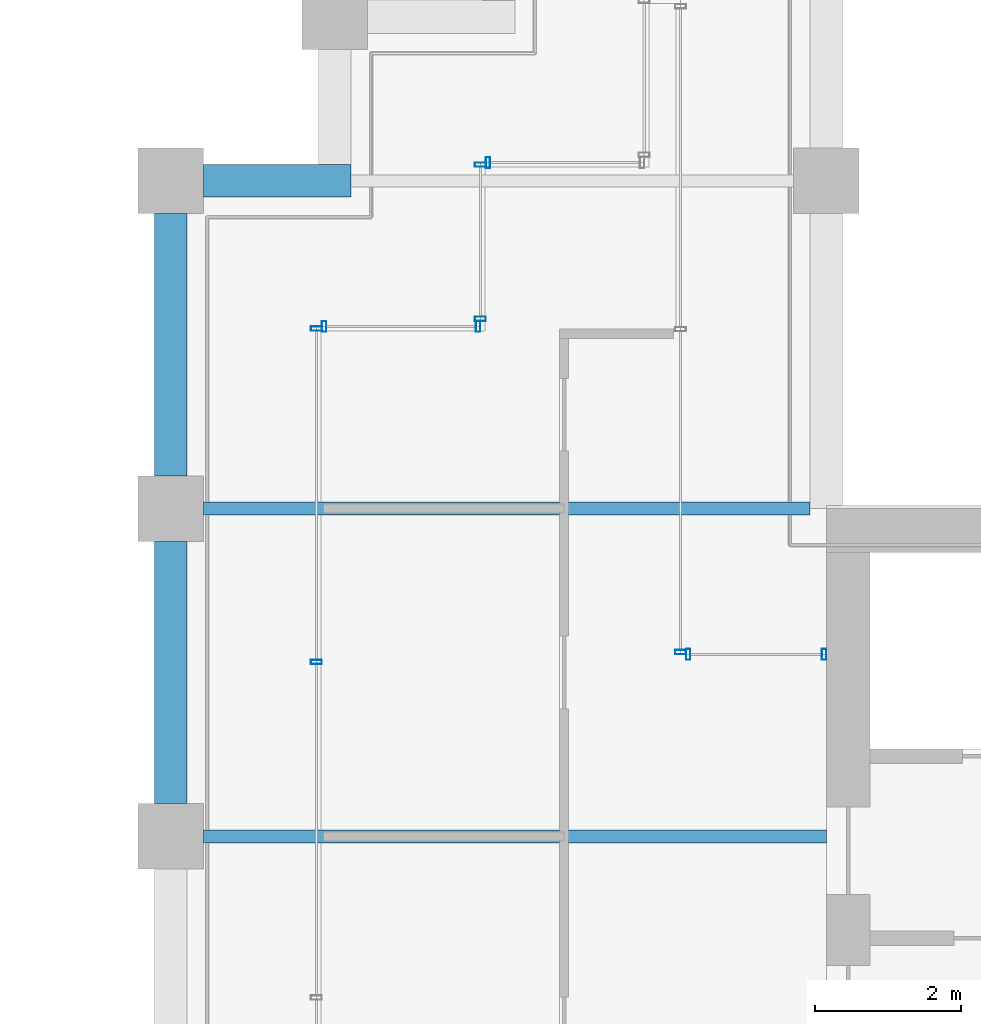
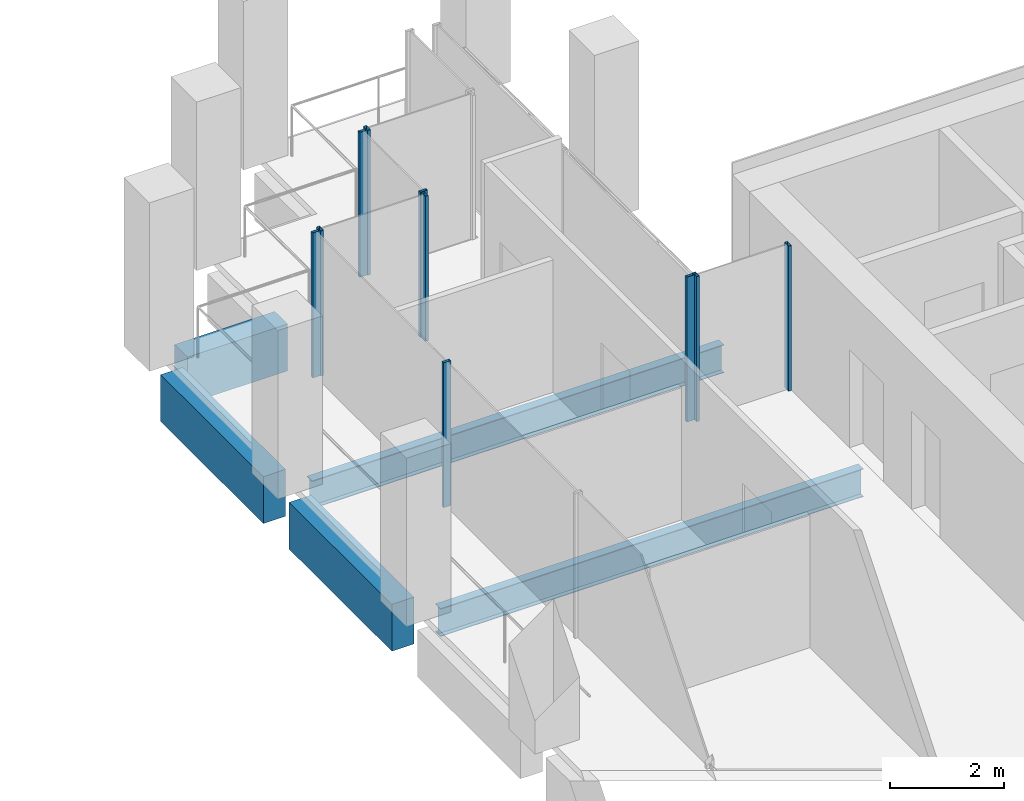
# One storey, part 32 of 40: 10 members, 5 beams, 6 elements without a shape of their own.
"""IFC4 building model written with IfcOpenShell, lengths in metres."""

import ifcopenshell
import ifcopenshell.guid

model = None  # the IFC model being written
_history = None  # IfcOwnerHistory: only IFC2X3 demands one
_inside = {}  # id of a spatial element -> (the spatial element, [elements in it])
_under = {}  # id of a project, library or spatial element -> (it, [spatial elements below it])
_declared = {}  # id of a project -> (the project, [libraries it declares])
_typed = {}  # id of a type object -> (the type object, [elements of that type])
_made_of = {}  # id of a material, layer set ... -> (it, [elements and type objects made of it])


def new_model(schema):
    """Start an empty IFC model of exactly this schema.

    Asked for "IFC4X3", IfcOpenShell would pick the latest addendum, in which some entities
    have other attributes; the version numbers below select the first issue.
    IFC2X3 requires an IfcOwnerHistory on every rooted entity: one is made here for all.
    """
    global model, _history
    if schema == "IFC4X3":
        model = ifcopenshell.file(schema_version=(4, 3, 0, 0))
    else:
        model = ifcopenshell.file(schema=schema)
    _inside.clear()
    _under.clear()
    _declared.clear()
    _typed.clear()
    _made_of.clear()
    _history = None
    if model.schema == "IFC2X3":
        org = make("IfcOrganization", Name="unknown")
        user = make(
            "IfcPersonAndOrganization",
            ThePerson=make("IfcPerson", FamilyName="unknown"),
            TheOrganization=org,
        )
        app = make(
            "IfcApplication",
            ApplicationDeveloper=org,
            Version="unknown",
            ApplicationFullName="unknown",
            ApplicationIdentifier="unknown",
        )
        _history = make(
            "IfcOwnerHistory",
            OwningUser=user,
            OwningApplication=app,
            ChangeAction="ADDED",
            CreationDate=0,
        )
    return model


def make(cls, **values):
    """One entity of the class cls with the attributes given. An attribute that is None is left unset."""
    return model.create_entity(
        cls, **{name: value for name, value in values.items() if value is not None}
    )


def rooted(cls, **values):
    """An entity with a GlobalId (a new one), such as an element, a storey or a relation."""
    return make(cls, GlobalId=ifcopenshell.guid.new(), OwnerHistory=_history, **values)


def si_unit(unit_type, name, prefix=None):
    """IfcSIUnit, for example si_unit("LENGTHUNIT", "METRE", prefix="MILLI")."""
    return make("IfcSIUnit", UnitType=unit_type, Prefix=prefix, Name=name)


def assignment(units):
    """IfcUnitAssignment: the units of a project."""
    return None if units is None else make("IfcUnitAssignment", Units=units)


def point(xyz):
    """IfcCartesianPoint."""
    return None if xyz is None else make("IfcCartesianPoint", Coordinates=xyz)


def direction(xyz):
    """IfcDirection."""
    return None if xyz is None else make("IfcDirection", DirectionRatios=xyz)


def frame(location, z_axis=None, x_axis=None):
    """IfcAxis2Placement3D, a coordinate frame: its origin and axes. An axis left out is left unset."""
    return make(
        "IfcAxis2Placement3D",
        Location=point(location),
        Axis=direction(z_axis),
        RefDirection=direction(x_axis),
    )


def frame_2d(location, x_axis=None):
    """IfcAxis2Placement2D, a coordinate frame in the plane: its origin and x axis."""
    return make(
        "IfcAxis2Placement2D", Location=point(location), RefDirection=direction(x_axis)
    )


def origin():
    """The frame at (0, 0, 0) with its axes left unset."""
    return frame((0.0, 0.0, 0.0))


def origin_2d():
    """The frame at (0, 0) in the plane with its x axis left unset."""
    return frame_2d((0.0, 0.0))


def place(relative_to, where):
    """IfcLocalPlacement: puts the frame where relative to a parent placement (None: the world)."""
    return make(
        "IfcLocalPlacement", PlacementRelTo=relative_to, RelativePlacement=where
    )


def context(
    kind, dimensions, precision=None, world=None, true_north=None, identifier=None
):
    """IfcGeometricRepresentationContext, for example the 3D "Model" context."""
    return make(
        "IfcGeometricRepresentationContext",
        ContextIdentifier=identifier,
        ContextType=kind,
        CoordinateSpaceDimension=dimensions,
        Precision=precision,
        WorldCoordinateSystem=world,
        TrueNorth=true_north,
    )


def subcontext(parent, identifier, kind, view, scale=None):
    """IfcGeometricRepresentationSubContext, for example "Body" below "Model"."""
    return make(
        "IfcGeometricRepresentationSubContext",
        ContextIdentifier=identifier,
        ContextType=kind,
        ParentContext=parent,
        TargetScale=scale,
        TargetView=view,
    )


def project(units=None, contexts=None):
    """IfcProject with its units and contexts."""
    return rooted(
        "IfcProject",
        Name="project",
        RepresentationContexts=contexts,
        UnitsInContext=assignment(units),
    )


def spatial(cls, under=None, at=None, **own):
    """A site, building, storey or space (cls), placed at a placement, below another one or the project."""
    s = rooted(cls, ObjectPlacement=at, **own)
    if under is not None:
        _under.setdefault(under.id(), (under, []))[1].append(s)
    return s


def profile(cls, at=None, kind="AREA", **sizes):
    """A parametric profile (cls). Its sizes go by their IFC names, for example OverallWidth=200.0."""
    return make(cls, ProfileType=kind, Position=at, **sizes)


def rectangle(**sizes):
    """IfcRectangleProfileDef."""
    return profile("IfcRectangleProfileDef", **sizes)


def hollow_rectangle(**sizes):
    """IfcRectangleHollowProfileDef."""
    return profile("IfcRectangleHollowProfileDef", **sizes)


def i_section(**sizes):
    """IfcIShapeProfileDef."""
    return profile("IfcIShapeProfileDef", **sizes)


def extrude(swept, where, along, depth):
    """IfcExtrudedAreaSolid: the profile swept, set in the frame where, extruded along a direction by depth."""
    return make(
        "IfcExtrudedAreaSolid",
        SweptArea=swept,
        Position=where,
        ExtrudedDirection=direction(along),
        Depth=depth,
    )


def shape(context_of_items, identifier, shape_type, items):
    """IfcShapeRepresentation: the items that make up one representation, for example the "Body"."""
    return make(
        "IfcShapeRepresentation",
        ContextOfItems=context_of_items,
        RepresentationIdentifier=identifier,
        RepresentationType=shape_type,
        Items=items,
    )


def material(Name=None, Category=None):
    """IfcMaterial."""
    return make("IfcMaterial", Name=Name, Category=Category)


def material_profile(
    of_material, cross_section, Name=None, Category=None, Priority=None
):
    """IfcMaterialProfile: a cross section and its material."""
    return make(
        "IfcMaterialProfile",
        Name=Name,
        Material=of_material,
        Profile=cross_section,
        Priority=Priority,
        Category=Category,
    )


def profile_set(profiles, Name=None, composite=None):
    """IfcMaterialProfileSet."""
    return make(
        "IfcMaterialProfileSet",
        Name=Name,
        MaterialProfiles=profiles,
        CompositeProfile=composite,
    )


def made_of(thing, what):
    """Note that an element or type object is made of a material, layer set ...; save() writes the relation."""
    if what is not None:
        _made_of.setdefault(what.id(), (what, []))[1].append(thing)
    return thing


def type_object(cls, material=None, **own):
    """A type object (cls), such as IfcWallType, which elements share."""
    return made_of(rooted(cls, **own), material)


def element(
    cls,
    number,
    at=None,
    inside=None,
    cuts=None,
    type_object=None,
    material=None,
    context=None,
    identifier="Body",
    shape_type=None,
    held_by="IfcProductDefinitionShape",
    body=None,
    shapes=None,
    **own,
):
    """One element of the class cls, such as IfcWall. Its Tag is "e" and its number.

    at: its placement. inside: the storey or other place that contains it. cuts: it is an
    opening in that element (IfcRelVoidsElement). A single representation is given by context,
    identifier, shape_type and body (its items); several are given by shapes. held_by: the class
    of the entity that holds the representations. save() writes the other relations.
    """
    e = rooted(cls, Tag="e%d" % number, ObjectPlacement=at, **own)
    if body is not None:
        shapes = [shape(context, identifier, shape_type, body)]
    if shapes is not None:
        e.Representation = make(held_by, Representations=shapes)
    if inside is not None:
        _inside.setdefault(inside.id(), (inside, []))[1].append(e)
    if cuts is not None:
        rooted(
            "IfcRelVoidsElement", RelatingBuildingElement=cuts, RelatedOpeningElement=e
        )
    if type_object is not None:
        _typed.setdefault(type_object.id(), (type_object, []))[1].append(e)
    return made_of(e, material)


def aggregate(whole, parts):
    """IfcRelAggregates: a whole, such as a stair, and the parts it consists of."""
    return rooted("IfcRelAggregates", RelatingObject=whole, RelatedObjects=parts)


def save(model, path):
    """Write the relations noted so far, then the file.

    IfcRelAggregates (storeys below a building ...), IfcRelContainedInSpatialStructure (elements
    in a storey), IfcRelDefinesByType, IfcRelAssociatesMaterial and IfcRelDeclares: one each for
    every whole, place, type object, material and project.
    """
    for whole, parts in _under.values():
        aggregate(whole, parts)
    for where, things in _inside.values():
        rooted(
            "IfcRelContainedInSpatialStructure",
            RelatedElements=things,
            RelatingStructure=where,
        )
    for kind, things in _typed.values():
        rooted("IfcRelDefinesByType", RelatedObjects=things, RelatingType=kind)
    for what, things in _made_of.values():
        rooted("IfcRelAssociatesMaterial", RelatedObjects=things, RelatingMaterial=what)
    for by, libraries in _declared.values():
        rooted("IfcRelDeclares", RelatingContext=by, RelatedDefinitions=libraries)
    model.write(path)


model = new_model("IFC4")

# Units and contexts
model_context = context("Model", 3, precision=1e-05, world=origin(), true_north=direction((0.0, 1.0)))
body_context = subcontext(model_context, "Body", "Model", "MODEL_VIEW")
ifc_project = project(units=[si_unit("LENGTHUNIT", "METRE"), si_unit("AREAUNIT", "SQUARE_METRE"), si_unit("VOLUMEUNIT", "CUBIC_METRE"), si_unit("PLANEANGLEUNIT", "RADIAN"), si_unit("MASSUNIT", "GRAM", prefix="KILO")], contexts=[model_context])

# Site, building, storey
site_placement = place(None, origin())
site = spatial("IfcSite", under=ifc_project, at=site_placement, CompositionType="ELEMENT")
building_placement = place(site_placement, origin())
building = spatial("IfcBuilding", under=site, at=building_placement, Name="Altepetl Exchange Towers", CompositionType="ELEMENT")
storey_placement = place(building_placement, frame((0.0, 0.0, 151.0)))
storey = spatial("IfcBuildingStorey", under=building, at=storey_placement, Name="L37", CompositionType="ELEMENT", Elevation=151.0)

# Beams
ifc_material_1 = material(Name="Steel S355", Category="steel")
ifc_material_profile_1 = material_profile(ifc_material_1, i_section(OverallWidth=0.177978515625, OverallDepth=0.59912109375, WebThickness=0.010009765625, FlangeThickness=0.0126953125, at=origin_2d()), Name="W24X55")
ifc_profile_set_1 = profile_set([ifc_material_profile_1], Name="Steel S355")
beam_type_1 = type_object("IfcBeamType", Name="Floor beam W24X55", PredefinedType="BEAM", material=ifc_profile_set_1)
beam_1_placement = place(storey_placement, frame((94.949951171875, 45.0, -0.449462890625), z_axis=(1.0, 0.0, 0.0), x_axis=(0.0, 1.0, 0.0)))
element("IfcBeam", 1, at=beam_1_placement, inside=storey, type_object=beam_type_1, Name="bm:B:L37:005", PredefinedType="BEAM", context=body_context, shape_type="SweptSolid", body=[
    extrude(i_section(OverallWidth=0.177978515625, OverallDepth=0.59912109375, WebThickness=0.010009765625, FlangeThickness=0.0126953125, at=origin_2d()), origin(), (0.0, 0.0, 1.0), 8.550048828125),
])
beam_2_placement = place(storey_placement, frame((94.949951171875, 49.5, -0.449462890625), z_axis=(1.0, 0.0, 0.0), x_axis=(0.0, 1.0, 0.0)))
element("IfcBeam", 2, at=beam_2_placement, inside=storey, type_object=beam_type_1, Name="bm:B:L37:006", PredefinedType="BEAM", context=body_context, shape_type="SweptSolid", body=[
    extrude(i_section(OverallWidth=0.177978515625, OverallDepth=0.59912109375, WebThickness=0.010009765625, FlangeThickness=0.0126953125, at=origin_2d()), origin(), (0.0, 0.0, 1.0), 8.324951171875),
])

# Curtain wall, members
ifc_material_2 = material(Name="Aluminium 6063-T6 glazing", Category="aluminium")
curtain_wall_type = type_object("IfcCurtainWallType", Name="Loggia glazing system", PredefinedType="NOTDEFINED", material=ifc_material_2)
curtain_wall_1_placement = place(storey_placement, origin())
curtain_wall_1 = element("IfcCurtainWall", 3, at=curtain_wall_1_placement, inside=storey, type_object=curtain_wall_type, Name="CW1 run", PredefinedType="NOTDEFINED")
ifc_material_3 = material(Name="Aluminium 6063-T6", Category="aluminium")
ifc_material_profile_2 = material_profile(ifc_material_3, hollow_rectangle(XDim=0.06005859375, YDim=0.14990234375, WallThickness=0.0029296875, at=origin_2d()), Name="Mullion 60x150 aluminium")
ifc_profile_set_2 = profile_set([ifc_material_profile_2], Name="Aluminium 6063-T6")
member_type = type_object("IfcMemberType", Name="Mullion 60x150 aluminium", PredefinedType="MULLION", material=ifc_profile_set_2)
member_1_placement = place(storey_placement, frame((103.469970703125, 47.5, 0.0), z_axis=(0.0, 0.0, 1.0), x_axis=(-1.0, 0.0, 0.0)))
member_1 = element("IfcMember", 4, at=member_1_placement, type_object=member_type, Name="MU1 mullion", PredefinedType="MULLION", context=body_context, shape_type="SweptSolid", body=[
    extrude(hollow_rectangle(XDim=0.06005859375, YDim=0.14990234375, WallThickness=0.0029296875, at=origin_2d()), origin(), (0.0, 0.0, 1.0), 3.10009765625),
])
member_2_placement = place(storey_placement, frame((101.60498046875, 47.5, 0.0), z_axis=(0.0, 0.0, 1.0), x_axis=(-1.0, 0.0, 0.0)))
member_2 = element("IfcMember", 5, at=member_2_placement, type_object=member_type, Name="MU1 mullion", PredefinedType="MULLION", context=body_context, shape_type="SweptSolid", body=[
    extrude(hollow_rectangle(XDim=0.06005859375, YDim=0.14990234375, WallThickness=0.0029296875, at=origin_2d()), origin(), (0.0, 0.0, 1.0), 3.10009765625),
])
aggregate(curtain_wall_1, [member_1, member_2])

# Curtain wall, member
curtain_wall_2_placement = place(storey_placement, origin())
curtain_wall_2 = element("IfcCurtainWall", 6, at=curtain_wall_2_placement, inside=storey, type_object=curtain_wall_type, Name="CW1 run", PredefinedType="NOTDEFINED")
member_3_placement = place(storey_placement, frame((101.5, 47.530029296875, 0.0), z_axis=(0.0, 0.0, 1.0), x_axis=(0.0, 1.0, 0.0)))
member_3 = element("IfcMember", 7, at=member_3_placement, type_object=member_type, Name="MU1 mullion", PredefinedType="MULLION", context=body_context, shape_type="SweptSolid", body=[
    extrude(hollow_rectangle(XDim=0.06005859375, YDim=0.14990234375, WallThickness=0.0029296875, at=origin_2d()), origin(), (0.0, 0.0, 1.0), 3.10009765625),
])
aggregate(curtain_wall_2, [member_3])

curtain_wall_3_placement = place(storey_placement, origin())
curtain_wall_3 = element("IfcCurtainWall", 8, at=curtain_wall_3_placement, inside=storey, type_object=curtain_wall_type, Name="CW1 run", PredefinedType="NOTDEFINED")
member_4_placement = place(storey_placement, frame((98.85498046875, 54.25, 0.0), z_axis=(0.0, 0.0, 1.0), x_axis=(-1.0, 0.0, 0.0)))
member_4 = element("IfcMember", 9, at=member_4_placement, type_object=member_type, Name="MU1 mullion", PredefinedType="MULLION", context=body_context, shape_type="SweptSolid", body=[
    extrude(hollow_rectangle(XDim=0.06005859375, YDim=0.14990234375, WallThickness=0.0029296875, at=origin_2d()), origin(), (0.0, 0.0, 1.0), 3.10009765625),
])
aggregate(curtain_wall_3, [member_4])

# Curtain wall, members
curtain_wall_4_placement = place(storey_placement, origin())
curtain_wall_4 = element("IfcCurtainWall", 10, at=curtain_wall_4_placement, inside=storey, type_object=curtain_wall_type, Name="CW1 run", PredefinedType="NOTDEFINED")
member_5_placement = place(storey_placement, frame((98.75, 54.219970703125, 0.0), z_axis=(0.0, 0.0, 1.0), x_axis=(0.0, -1.0, 0.0)))
member_5 = element("IfcMember", 11, at=member_5_placement, type_object=member_type, Name="MU1 mullion", PredefinedType="MULLION", context=body_context, shape_type="SweptSolid", body=[
    extrude(hollow_rectangle(XDim=0.06005859375, YDim=0.14990234375, WallThickness=0.0029296875, at=origin_2d()), origin(), (0.0, 0.0, 1.0), 3.10009765625),
])
member_6_placement = place(storey_placement, frame((98.75, 52.10498046875, 0.0), z_axis=(0.0, 0.0, 1.0), x_axis=(0.0, -1.0, 0.0)))
member_6 = element("IfcMember", 12, at=member_6_placement, type_object=member_type, Name="MU1 mullion", PredefinedType="MULLION", context=body_context, shape_type="SweptSolid", body=[
    extrude(hollow_rectangle(XDim=0.06005859375, YDim=0.14990234375, WallThickness=0.0029296875, at=origin_2d()), origin(), (0.0, 0.0, 1.0), 3.10009765625),
])
aggregate(curtain_wall_4, [member_5, member_6])

curtain_wall_5_placement = place(storey_placement, origin())
curtain_wall_5 = element("IfcCurtainWall", 13, at=curtain_wall_5_placement, inside=storey, type_object=curtain_wall_type, Name="CW1 run", PredefinedType="NOTDEFINED")
member_7_placement = place(storey_placement, frame((98.719970703125, 52.0, 0.0), z_axis=(0.0, 0.0, 1.0), x_axis=(-1.0, 0.0, 0.0)))
member_7 = element("IfcMember", 14, at=member_7_placement, type_object=member_type, Name="MU1 mullion", PredefinedType="MULLION", context=body_context, shape_type="SweptSolid", body=[
    extrude(hollow_rectangle(XDim=0.06005859375, YDim=0.14990234375, WallThickness=0.0029296875, at=origin_2d()), origin(), (0.0, 0.0, 1.0), 3.10009765625),
])
member_8_placement = place(storey_placement, frame((96.60498046875, 52.0, 0.0), z_axis=(0.0, 0.0, 1.0), x_axis=(-1.0, 0.0, 0.0)))
member_8 = element("IfcMember", 15, at=member_8_placement, type_object=member_type, Name="MU1 mullion", PredefinedType="MULLION", context=body_context, shape_type="SweptSolid", body=[
    extrude(hollow_rectangle(XDim=0.06005859375, YDim=0.14990234375, WallThickness=0.0029296875, at=origin_2d()), origin(), (0.0, 0.0, 1.0), 3.10009765625),
])
aggregate(curtain_wall_5, [member_7, member_8])

curtain_wall_6_placement = place(storey_placement, origin())
curtain_wall_6 = element("IfcCurtainWall", 16, at=curtain_wall_6_placement, inside=storey, type_object=curtain_wall_type, Name="CW1 run", PredefinedType="NOTDEFINED")
member_9_placement = place(storey_placement, frame((96.5, 51.969970703125, 0.0), z_axis=(0.0, 0.0, 1.0), x_axis=(0.0, -1.0, 0.0)))
member_9 = element("IfcMember", 17, at=member_9_placement, type_object=member_type, Name="MU1 mullion", PredefinedType="MULLION", context=body_context, shape_type="SweptSolid", body=[
    extrude(hollow_rectangle(XDim=0.06005859375, YDim=0.14990234375, WallThickness=0.0029296875, at=origin_2d()), origin(), (0.0, 0.0, 1.0), 3.10009765625),
])
member_10_placement = place(storey_placement, frame((96.5, 47.393798828125, 0.0), z_axis=(0.0, 0.0, 1.0), x_axis=(0.0, -1.0, 0.0)))
member_10 = element("IfcMember", 18, at=member_10_placement, type_object=member_type, Name="MU1 mullion", PredefinedType="MULLION", context=body_context, shape_type="SweptSolid", body=[
    extrude(hollow_rectangle(XDim=0.06005859375, YDim=0.14990234375, WallThickness=0.0029296875, at=origin_2d()), origin(), (0.0, 0.0, 1.0), 3.10009765625),
])
aggregate(curtain_wall_6, [member_9, member_10])

# Beams
ifc_material_4 = material(Name="Concrete C50/60 precast with cantera rosa facing", Category="concrete")
ifc_material_profile_3 = material_profile(ifc_material_4, rectangle(XDim=0.449951171875, YDim=1.0, at=origin_2d()), Name="450 x 1000")
ifc_profile_set_3 = profile_set([ifc_material_profile_3], Name="Concrete C50/60 precast with cantera rosa facing")
beam_type_2 = type_object("IfcBeamType", Name="Spandrel beam 450x1000 cantera rosa", PredefinedType="SPANDREL", material=ifc_profile_set_3)
beam_3_placement = place(storey_placement, frame((96.97509765625, 54.0, -0.64990234375), z_axis=(-1.0, 0.0, 0.0), x_axis=(0.0, -1.0, 0.0)))
element("IfcBeam", 19, at=beam_3_placement, inside=storey, type_object=beam_type_2, Name="sp:B:L37:014", PredefinedType="SPANDREL", context=body_context, shape_type="SweptSolid", body=[
    extrude(rectangle(XDim=0.449951171875, YDim=1.0, at=origin_2d()), origin(), (0.0, 0.0, 1.0), 2.025146484375),
])
for number, where, z_axis, x_axis, name in (
    (20, (94.5, 53.550048828125, -0.64990234375), (0.0, -1.0, 0.0), (1.0, 0.0, 0.0), "sp:B:L37:015"),
    (21, (94.5, 49.050048828125, -0.64990234375), (0.0, -1.0, 0.0), (1.0, 0.0, 0.0), "sp:B:L37:016"),
):
    element("IfcBeam", number, at=place(storey_placement, frame(where, z_axis=z_axis, x_axis=x_axis)), inside=storey, type_object=beam_type_2, Name=name, PredefinedType="SPANDREL", context=body_context, shape_type="SweptSolid", body=[
        extrude(rectangle(XDim=0.449951171875, YDim=1.0, at=origin_2d()), origin(), (0.0, 0.0, 1.0), 3.60009765625),
    ])

save(model, "model.ifc")
